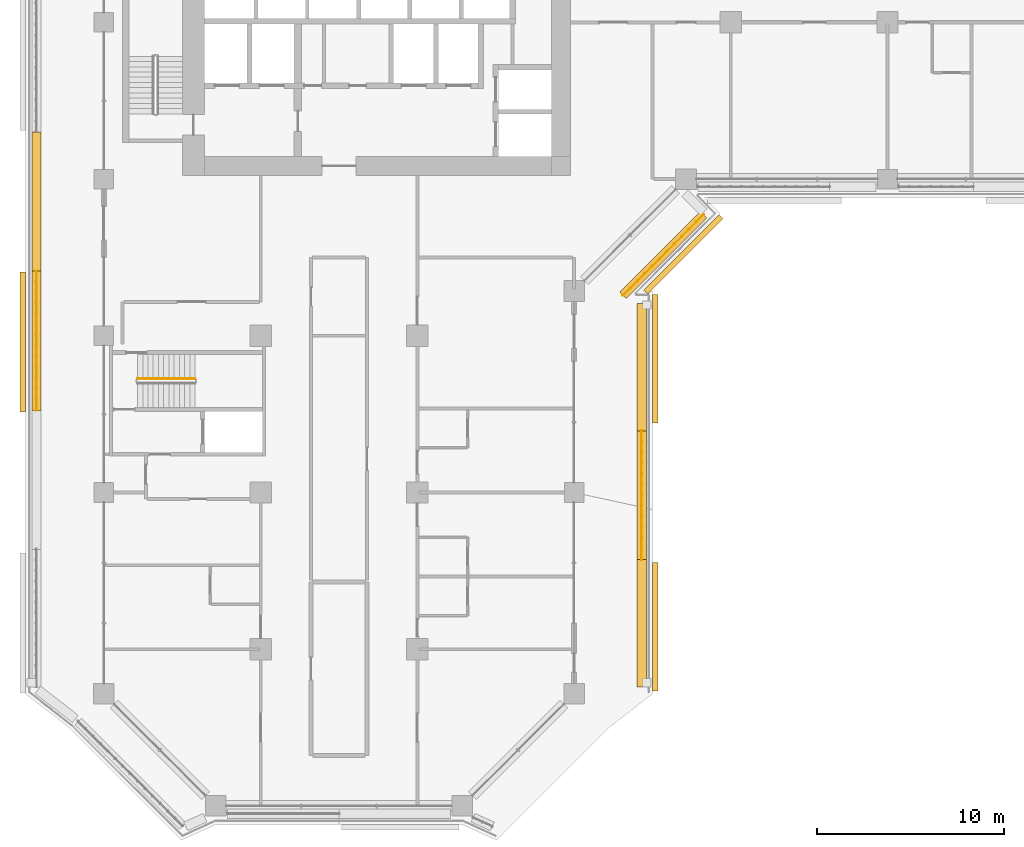
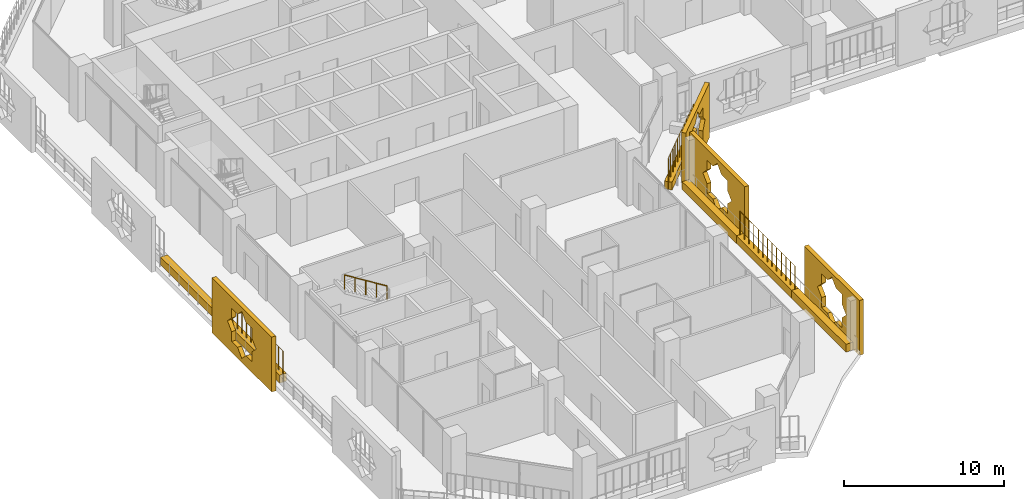
# One storey, part 20 of 25: 10 coverings, 4 railings.
"""IFC4 building model written with IfcOpenShell, lengths in metres."""

from ifc_helpers import new_model, si_unit, direction, frame, origin, origin_2d, place, context, subcontext, project, spatial, polyline, rectangle, circle, outline, extrude, material, material_profile, profile_set, type_object, element, save


model = new_model("IFC4")

# Units and contexts
model_context = context("Model", 3, precision=1e-05, world=origin(), true_north=direction((0.0, 1.0)))
body_context = subcontext(model_context, "Body", "Model", "MODEL_VIEW")
ifc_project = project(units=[si_unit("LENGTHUNIT", "METRE"), si_unit("AREAUNIT", "SQUARE_METRE"), si_unit("VOLUMEUNIT", "CUBIC_METRE"), si_unit("PLANEANGLEUNIT", "RADIAN"), si_unit("MASSUNIT", "GRAM", prefix="KILO")], contexts=[model_context])

# Site, building, storey
site_placement = place(None, origin())
site = spatial("IfcSite", under=ifc_project, at=site_placement, CompositionType="ELEMENT")
building_placement = place(site_placement, origin())
building = spatial("IfcBuilding", under=site, at=building_placement, Name="Kawkab Arch Medical Tower", CompositionType="ELEMENT")
storey_placement = place(building_placement, frame((0.0, 0.0, 128.199951171875)))
storey = spatial("IfcBuildingStorey", under=building, at=storey_placement, Name="L29", CompositionType="ELEMENT", Elevation=128.199951171875)

# Coverings
ifc_material_1 = material(Name="Bronze anodised aluminium mashrabiya panel, eight-point star pattern", Category="aluminium")
ifc_material_profile_1 = material_profile(ifc_material_1, outline(polyline([(-2.85009765625, -2.10009765625), (2.85009765625, -2.10009765625), (2.85009765625, 2.10009765625), (-2.85009765625, 2.10009765625), (-2.85009765625, -2.10009765625)]), holes=[polyline([(1.800048828125, 0.0), (1.272705078125, 0.527099609375), (1.272705078125, 1.272705078125), (0.527099609375, 1.272705078125), (0.0, 1.800048828125), (-0.527099609375, 1.272705078125), (-1.272705078125, 1.272705078125), (-1.272705078125, 0.527099609375), (-1.800048828125, 0.0), (-1.272705078125, -0.527099609375), (-1.272705078125, -1.272705078125), (-0.527099609375, -1.272705078125), (0.0, -1.800048828125), (0.527099609375, -1.272705078125), (1.272705078125, -1.272705078125), (1.272705078125, -0.527099609375), (1.800048828125, 0.0)])]), Name="Mashrabiya panel 5700x4200")
ifc_profile_set_1 = profile_set([ifc_material_profile_1], Name="Bronze anodised aluminium mashrabiya panel, eight-point star pattern")
covering_type_1 = type_object("IfcCoveringType", Name="Mashrabiya panel 5700 x 4200", PredefinedType="USERDEFINED", material=ifc_profile_set_1)
covering_1_placement = place(storey_placement, frame((30.94775390625, -29.128662109375, 1.699951171875), z_axis=(0.707106781187, -0.707106781187, 0.0), x_axis=(0.707106781187, 0.707106781187, 0.0)))
element("IfcCovering", 1, at=covering_1_placement, inside=storey, type_object=covering_type_1, Name="Mashrabiya panel L29.LOG-01-01.14", ObjectType="SCREEN", PredefinedType="USERDEFINED", context=body_context, shape_type="SweptSolid", body=[
    extrude(outline(polyline([(-2.85009765625, -2.10009765625), (2.85009765625, -2.10009765625), (2.85009765625, 2.10009765625), (-2.85009765625, 2.10009765625), (-2.85009765625, -2.10009765625)]), holes=[polyline([(1.800048828125, 0.0), (1.272705078125, 0.527099609375), (1.272705078125, 1.272705078125), (0.527099609375, 1.272705078125), (0.0, 1.800048828125), (-0.527099609375, 1.272705078125), (-1.272705078125, 1.272705078125), (-1.272705078125, 0.527099609375), (-1.800048828125, 0.0), (-1.272705078125, -0.527099609375), (-1.272705078125, -1.272705078125), (-0.527099609375, -1.272705078125), (0.0, -1.800048828125), (0.527099609375, -1.272705078125), (1.272705078125, -1.272705078125), (1.272705078125, -0.527099609375), (1.800048828125, 0.0)])]), origin(), (0.0, 0.0, 1.0), 0.300048828125),
])
ifc_material_2 = material(Name="Bronze anodised aluminium mashrabiya panel, eight-point star pattern", Category="aluminium")
ifc_material_profile_2 = material_profile(ifc_material_2, outline(polyline([(-3.449951171875, -2.10009765625), (3.449951171875, -2.10009765625), (3.449951171875, 2.10009765625), (-3.449951171875, 2.10009765625), (-3.449951171875, -2.10009765625)]), holes=[polyline([(1.800048828125, 0.0), (1.272705078125, 0.527099609375), (1.272705078125, 1.272705078125), (0.527099609375, 1.272705078125), (0.0, 1.800048828125), (-0.527099609375, 1.272705078125), (-1.272705078125, 1.272705078125), (-1.272705078125, 0.527099609375), (-1.800048828125, 0.0), (-1.272705078125, -0.527099609375), (-1.272705078125, -1.272705078125), (-0.527099609375, -1.272705078125), (0.0, -1.800048828125), (0.527099609375, -1.272705078125), (1.272705078125, -1.272705078125), (1.272705078125, -0.527099609375), (1.800048828125, 0.0)])]), Name="Mashrabiya panel 6900x4200")
ifc_profile_set_2 = profile_set([ifc_material_profile_2], Name="Bronze anodised aluminium mashrabiya panel, eight-point star pattern")
covering_type_2 = type_object("IfcCoveringType", Name="Mashrabiya panel 6900 x 4200", PredefinedType="USERDEFINED", material=ifc_profile_set_2)
for number, where, z_axis, x_axis, name in (
    (2, (29.39990234375, -34.827392578125, 1.699951171875), (1.0, 0.0, 0.0), (0.0, 1.0, 0.0), "Mashrabiya panel L29.LOG-01-01.15"),
    (3, (29.39990234375, -49.197509765625, 1.699951171875), (1.0, 0.0, 0.0), (0.0, 1.0, 0.0), "Mashrabiya panel L29.LOG-01-01.16"),
):
    element("IfcCovering", number, at=place(storey_placement, frame(where, z_axis=z_axis, x_axis=x_axis)), inside=storey, type_object=covering_type_2, Name=name, ObjectType="SCREEN", PredefinedType="USERDEFINED", context=body_context, shape_type="SweptSolid", body=[
        extrude(outline(polyline([(-3.449951171875, -2.10009765625), (3.449951171875, -2.10009765625), (3.449951171875, 2.10009765625), (-3.449951171875, 2.10009765625), (-3.449951171875, -2.10009765625)]), holes=[polyline([(1.800048828125, 0.0), (1.272705078125, 0.527099609375), (1.272705078125, 1.272705078125), (0.527099609375, 1.272705078125), (0.0, 1.800048828125), (-0.527099609375, 1.272705078125), (-1.272705078125, 1.272705078125), (-1.272705078125, 0.527099609375), (-1.800048828125, 0.0), (-1.272705078125, -0.527099609375), (-1.272705078125, -1.272705078125), (-0.527099609375, -1.272705078125), (0.0, -1.800048828125), (0.527099609375, -1.272705078125), (1.272705078125, -1.272705078125), (1.272705078125, -0.527099609375), (1.800048828125, 0.0)])]), origin(), (0.0, 0.0, 1.0), 0.300048828125),
    ])
ifc_material_3 = material(Name="Bronze anodised aluminium mashrabiya panel, eight-point star pattern", Category="aluminium")
ifc_material_profile_3 = material_profile(ifc_material_3, outline(polyline([(-3.75, -2.10009765625), (3.75, -2.10009765625), (3.75, 2.10009765625), (-3.75, 2.10009765625), (-3.75, -2.10009765625)]), holes=[polyline([(1.800048828125, 0.0), (1.272705078125, 0.527099609375), (1.272705078125, 1.272705078125), (0.527099609375, 1.272705078125), (0.0, 1.800048828125), (-0.527099609375, 1.272705078125), (-1.272705078125, 1.272705078125), (-1.272705078125, 0.527099609375), (-1.800048828125, 0.0), (-1.272705078125, -0.527099609375), (-1.272705078125, -1.272705078125), (-0.527099609375, -1.272705078125), (0.0, -1.800048828125), (0.527099609375, -1.272705078125), (1.272705078125, -1.272705078125), (1.272705078125, -0.527099609375), (1.800048828125, 0.0)])]), Name="Mashrabiya panel 7500x4200")
ifc_profile_set_3 = profile_set([ifc_material_profile_3], Name="Bronze anodised aluminium mashrabiya panel, eight-point star pattern")
covering_type_3 = type_object("IfcCoveringType", Name="Mashrabiya panel 7500 x 4200", PredefinedType="USERDEFINED", material=ifc_profile_set_3)
covering_2_placement = place(storey_placement, frame((-4.199951171875, -33.94140625, 1.699951171875), z_axis=(-1.0, 0.0, 0.0), x_axis=(0.0, -1.0, 0.0)))
element("IfcCovering", 4, at=covering_2_placement, inside=storey, type_object=covering_type_3, Name="Mashrabiya panel L29.LOG-01-01.3", ObjectType="SCREEN", PredefinedType="USERDEFINED", context=body_context, shape_type="SweptSolid", body=[
    extrude(outline(polyline([(-3.75, -2.10009765625), (3.75, -2.10009765625), (3.75, 2.10009765625), (-3.75, 2.10009765625), (-3.75, -2.10009765625)]), holes=[polyline([(1.800048828125, 0.0), (1.272705078125, 0.527099609375), (1.272705078125, 1.272705078125), (0.527099609375, 1.272705078125), (0.0, 1.800048828125), (-0.527099609375, 1.272705078125), (-1.272705078125, 1.272705078125), (-1.272705078125, 0.527099609375), (-1.800048828125, 0.0), (-1.272705078125, -0.527099609375), (-1.272705078125, -1.272705078125), (-0.527099609375, -1.272705078125), (0.0, -1.800048828125), (0.527099609375, -1.272705078125), (1.272705078125, -1.272705078125), (1.272705078125, -0.527099609375), (1.800048828125, 0.0)])]), origin(), (0.0, 0.0, 1.0), 0.300048828125),
])
ifc_material_4 = material(Name="Planting soil in a precast trough", Category="concrete")
ifc_material_profile_4 = material_profile(ifc_material_4, rectangle(XDim=0.5, YDim=0.60009765625, at=origin_2d()), Name="Trough 500x600")
ifc_profile_set_4 = profile_set([ifc_material_profile_4], Name="Planting soil in a precast trough")
covering_type_4 = type_object("IfcCoveringType", Name="Planter trough 500 x 600", PredefinedType="USERDEFINED", material=ifc_profile_set_4)
covering_3_placement = place(storey_placement, frame((-3.6201171875, -37.593017578125, 0.300048828125), z_axis=(0.0, 1.0, 0.0), x_axis=(-1.0, 0.0, 0.0)))
element("IfcCovering", 5, at=covering_3_placement, inside=storey, type_object=covering_type_4, Name="Planter L29.LOG-01-01.9", ObjectType="PLANTER", PredefinedType="USERDEFINED", context=body_context, shape_type="SweptSolid", body=[
    extrude(rectangle(XDim=0.5, YDim=0.60009765625, at=origin_2d()), origin(), (0.0, 0.0, 1.0), 7.4619140625),
])
covering_4_placement = place(storey_placement, frame((-3.6201171875, -30.131103515625, 0.300048828125), z_axis=(0.0, 1.0, 0.0), x_axis=(-1.0, 0.0, 0.0)))
element("IfcCovering", 6, at=covering_4_placement, inside=storey, type_object=covering_type_4, Name="Planter L29.LOG-01-01.10", ObjectType="PLANTER", PredefinedType="USERDEFINED", context=body_context, shape_type="SweptSolid", body=[
    extrude(rectangle(XDim=0.5, YDim=0.60009765625, at=origin_2d()), origin(), (0.0, 0.0, 1.0), 7.462158203125),
])
covering_5_placement = place(storey_placement, frame((32.14697265625, -27.10888671875, 0.300048828125), z_axis=(-0.707007043994, -0.707206504313, 0.0), x_axis=(0.707206504313, -0.707007043994, 0.0)))
element("IfcCovering", 7, at=covering_5_placement, inside=storey, type_object=covering_type_4, Name="Planter L29.LOG-01-01.43", ObjectType="PLANTER", PredefinedType="USERDEFINED", context=body_context, shape_type="SweptSolid", body=[
    extrude(rectangle(XDim=0.5, YDim=0.60009765625, at=origin_2d()), origin(), (0.0, 0.0, 1.0), 6.1201171875),
])
covering_6_placement = place(storey_placement, frame((28.820068359375, -31.8798828125, 0.300048828125), z_axis=(0.0, -1.0, 0.0), x_axis=(1.0, 0.0, 0.0)))
element("IfcCovering", 8, at=covering_6_placement, inside=storey, type_object=covering_type_4, Name="Planter L29.LOG-01-01.44", ObjectType="PLANTER", PredefinedType="USERDEFINED", context=body_context, shape_type="SweptSolid", body=[
    extrude(rectangle(XDim=0.5, YDim=0.60009765625, at=origin_2d()), origin(), (0.0, 0.0, 1.0), 6.81201171875),
])
covering_7_placement = place(storey_placement, frame((28.820068359375, -38.69189453125, 0.300048828125), z_axis=(0.0, -1.0, 0.0), x_axis=(1.0, 0.0, 0.0)))
element("IfcCovering", 9, at=covering_7_placement, inside=storey, type_object=covering_type_4, Name="Planter L29.LOG-01-01.45", ObjectType="PLANTER", PredefinedType="USERDEFINED", context=body_context, shape_type="SweptSolid", body=[
    extrude(rectangle(XDim=0.5, YDim=0.60009765625, at=origin_2d()), origin(), (0.0, 0.0, 1.0), 6.912109375),
])
covering_8_placement = place(storey_placement, frame((28.820068359375, -45.60400390625, 0.300048828125), z_axis=(0.0, -1.0, 0.0), x_axis=(1.0, 0.0, 0.0)))
element("IfcCovering", 10, at=covering_8_placement, inside=storey, type_object=covering_type_4, Name="Planter L29.LOG-01-01.46", ObjectType="PLANTER", PredefinedType="USERDEFINED", context=body_context, shape_type="SweptSolid", body=[
    extrude(rectangle(XDim=0.5, YDim=0.60009765625, at=origin_2d()), origin(), (0.0, 0.0, 1.0), 6.81201171875),
])

# Railings
ifc_material_5 = material(Name="Bronze anodised aluminium trellis for climbing plants", Category="aluminium")
railing_type_1 = type_object("IfcRailingType", Name="Planting trellis 2400", PredefinedType="USERDEFINED", material=ifc_material_5)
railing_1_placement = place(storey_placement, frame((-3.6201171875, -37.593017578125, 0.0)))
element("IfcRailing", 11, at=railing_1_placement, inside=storey, type_object=railing_type_1, Name="Planting trellis L29.LOG-01-01.9", ObjectType="TRELLIS", PredefinedType="USERDEFINED", context=body_context, shape_type="SweptSolid", body=[
    extrude(circle(Radius=0.01513671875, at=origin_2d()), frame((0.0, 0.0, 2.384765625), z_axis=(0.0, 1.0, 0.0), x_axis=(-1.0, 0.0, 0.0)), (0.0, 0.0, 1.0), 7.4619140625),
    extrude(circle(Radius=0.030029296875, at=origin_2d()), origin(), (0.0, 0.0, 1.0), 2.369873046875),
    extrude(circle(Radius=0.030029296875, at=origin_2d()), frame((0.0, 0.573974609375, 0.0)), (0.0, 0.0, 1.0), 2.369873046875),
    extrude(circle(Radius=0.030029296875, at=origin_2d()), frame((0.0, 1.14794921875, 0.0)), (0.0, 0.0, 1.0), 2.369873046875),
    extrude(circle(Radius=0.030029296875, at=origin_2d()), frame((0.0, 1.721923828125, 0.0)), (0.0, 0.0, 1.0), 2.369873046875),
    extrude(circle(Radius=0.030029296875, at=origin_2d()), frame((0.0, 2.2958984375, 0.0)), (0.0, 0.0, 1.0), 2.369873046875),
    extrude(circle(Radius=0.030029296875, at=origin_2d()), frame((0.0, 2.869873046875, 0.0)), (0.0, 0.0, 1.0), 2.369873046875),
    extrude(circle(Radius=0.030029296875, at=origin_2d()), frame((0.0, 3.44384765625, 0.0)), (0.0, 0.0, 1.0), 2.369873046875),
    extrude(circle(Radius=0.030029296875, at=origin_2d()), frame((0.0, 4.01806640625, 0.0)), (0.0, 0.0, 1.0), 2.369873046875),
    extrude(circle(Radius=0.030029296875, at=origin_2d()), frame((0.0, 4.592041015625, 0.0)), (0.0, 0.0, 1.0), 2.369873046875),
    extrude(circle(Radius=0.030029296875, at=origin_2d()), frame((0.0, 5.166015625, 0.0)), (0.0, 0.0, 1.0), 2.369873046875),
    extrude(circle(Radius=0.030029296875, at=origin_2d()), frame((0.0, 5.739990234375, 0.0)), (0.0, 0.0, 1.0), 2.369873046875),
    extrude(circle(Radius=0.030029296875, at=origin_2d()), frame((0.0, 6.31396484375, 0.0)), (0.0, 0.0, 1.0), 2.369873046875),
    extrude(circle(Radius=0.030029296875, at=origin_2d()), frame((0.0, 6.887939453125, 0.0)), (0.0, 0.0, 1.0), 2.369873046875),
    extrude(circle(Radius=0.030029296875, at=origin_2d()), frame((0.0, 7.4619140625, 0.0)), (0.0, 0.0, 1.0), 2.369873046875),
])
railing_2_placement = place(storey_placement, frame((32.14697265625, -27.10888671875, 0.0)))
element("IfcRailing", 12, at=railing_2_placement, inside=storey, type_object=railing_type_1, Name="Planting trellis L29.LOG-01-01.43", ObjectType="TRELLIS", PredefinedType="USERDEFINED", context=body_context, shape_type="SweptSolid", body=[
    extrude(circle(Radius=0.01513671875, at=origin_2d()), frame((0.0, 0.0, 2.384765625), z_axis=(-0.707007043994, -0.707206504313, 0.0), x_axis=(0.707206504313, -0.707007043994, 0.0)), (0.0, 0.0, 1.0), 6.1201171875),
    extrude(circle(Radius=0.030029296875, at=origin_2d()), origin(), (0.0, 0.0, 1.0), 2.369873046875),
    extrude(circle(Radius=0.030029296875, at=origin_2d()), frame((-0.393310546875, -0.3935546875, 0.0)), (0.0, 0.0, 1.0), 2.369873046875),
    extrude(circle(Radius=0.030029296875, at=origin_2d()), frame((-0.78662109375, -0.786865234375, 0.0)), (0.0, 0.0, 1.0), 2.369873046875),
    extrude(circle(Radius=0.030029296875, at=origin_2d()), frame((-1.18017578125, -1.180419921875, 0.0)), (0.0, 0.0, 1.0), 2.369873046875),
    extrude(circle(Radius=0.030029296875, at=origin_2d()), frame((-1.573486328125, -1.573974609375, 0.0)), (0.0, 0.0, 1.0), 2.369873046875),
    extrude(circle(Radius=0.030029296875, at=origin_2d()), frame((-1.966796875, -1.96728515625, 0.0)), (0.0, 0.0, 1.0), 2.369873046875),
    extrude(circle(Radius=0.030029296875, at=origin_2d()), frame((-2.360107421875, -2.36083984375, 0.0)), (0.0, 0.0, 1.0), 2.369873046875),
    extrude(circle(Radius=0.030029296875, at=origin_2d()), frame((-2.75341796875, -2.754150390625, 0.0)), (0.0, 0.0, 1.0), 2.369873046875),
    extrude(circle(Radius=0.030029296875, at=origin_2d()), frame((-3.146728515625, -3.147705078125, 0.0)), (0.0, 0.0, 1.0), 2.369873046875),
    extrude(circle(Radius=0.030029296875, at=origin_2d()), frame((-3.540283203125, -3.541259765625, 0.0)), (0.0, 0.0, 1.0), 2.369873046875),
    extrude(circle(Radius=0.030029296875, at=origin_2d()), frame((-3.93359375, -3.9345703125, 0.0)), (0.0, 0.0, 1.0), 2.369873046875),
    extrude(circle(Radius=0.030029296875, at=origin_2d()), frame((-4.326904296875, -4.328125, 0.0)), (0.0, 0.0, 1.0), 2.369873046875),
])
railing_3_placement = place(storey_placement, frame((28.820068359375, -38.69189453125, 0.0)))
element("IfcRailing", 13, at=railing_3_placement, inside=storey, type_object=railing_type_1, Name="Planting trellis L29.LOG-01-01.45", ObjectType="TRELLIS", PredefinedType="USERDEFINED", context=body_context, shape_type="SweptSolid", body=[
    extrude(circle(Radius=0.01513671875, at=origin_2d()), frame((0.0, 0.0, 2.384765625), z_axis=(0.0, -1.0, 0.0), x_axis=(1.0, 0.0, 0.0)), (0.0, 0.0, 1.0), 6.912109375),
    extrude(circle(Radius=0.030029296875, at=origin_2d()), origin(), (0.0, 0.0, 1.0), 2.369873046875),
    extrude(circle(Radius=0.030029296875, at=origin_2d()), frame((0.0, -0.575927734375, 0.0)), (0.0, 0.0, 1.0), 2.369873046875),
    extrude(circle(Radius=0.030029296875, at=origin_2d()), frame((0.0, -1.152099609375, 0.0)), (0.0, 0.0, 1.0), 2.369873046875),
    extrude(circle(Radius=0.030029296875, at=origin_2d()), frame((0.0, -1.72802734375, 0.0)), (0.0, 0.0, 1.0), 2.369873046875),
    extrude(circle(Radius=0.030029296875, at=origin_2d()), frame((0.0, -2.303955078125, 0.0)), (0.0, 0.0, 1.0), 2.369873046875),
    extrude(circle(Radius=0.030029296875, at=origin_2d()), frame((0.0, -2.880126953125, 0.0)), (0.0, 0.0, 1.0), 2.369873046875),
    extrude(circle(Radius=0.030029296875, at=origin_2d()), frame((0.0, -3.4560546875, 0.0)), (0.0, 0.0, 1.0), 2.369873046875),
    extrude(circle(Radius=0.030029296875, at=origin_2d()), frame((0.0, -4.031982421875, 0.0)), (0.0, 0.0, 1.0), 2.369873046875),
    extrude(circle(Radius=0.030029296875, at=origin_2d()), frame((0.0, -4.608154296875, 0.0)), (0.0, 0.0, 1.0), 2.369873046875),
    extrude(circle(Radius=0.030029296875, at=origin_2d()), frame((0.0, -5.18408203125, 0.0)), (0.0, 0.0, 1.0), 2.369873046875),
    extrude(circle(Radius=0.030029296875, at=origin_2d()), frame((0.0, -5.760009765625, 0.0)), (0.0, 0.0, 1.0), 2.369873046875),
    extrude(circle(Radius=0.030029296875, at=origin_2d()), frame((0.0, -6.336181640625, 0.0)), (0.0, 0.0, 1.0), 2.369873046875),
    extrude(circle(Radius=0.030029296875, at=origin_2d()), frame((0.0, -6.912109375, 0.0)), (0.0, 0.0, 1.0), 2.369873046875),
])
ifc_material_6 = material(Name="Stainless steel", Category="steel")
railing_type_2 = type_object("IfcRailingType", Name="Stair guard 1100", PredefinedType="GUARDRAIL", material=ifc_material_6)
railing_4_placement = place(storey_placement, frame((4.8798828125, -35.89990234375, 2.275146484375)))
element("IfcRailing", 14, at=railing_4_placement, inside=storey, type_object=railing_type_2, Name="L29 ST6 stair guard 3", PredefinedType="GUARDRAIL", context=body_context, shape_type="SweptSolid", body=[
    extrude(circle(Radius=0.02392578125, at=origin_2d()), frame((0.0, 0.0, 1.076171875), z_axis=(-0.848009633417, 0.0, 0.529980812513), x_axis=(0.0, -1.0, 0.0)), (0.0, 0.0, 1.0), 3.6318359375),
    extrude(circle(Radius=0.02099609375, at=origin_2d()), origin(), (0.0, 0.0, 1.0), 1.052001953125),
    extrude(circle(Radius=0.02099609375, at=origin_2d()), frame((-0.77001953125, 0.0, 0.481201171875)), (0.0, 0.0, 1.0), 1.052001953125),
    extrude(circle(Radius=0.02099609375, at=origin_2d()), frame((-1.5400390625, 0.0, 0.96240234375)), (0.0, 0.0, 1.0), 1.052001953125),
    extrude(circle(Radius=0.02099609375, at=origin_2d()), frame((-2.309814453125, 0.0, 1.443603515625)), (0.0, 0.0, 1.0), 1.052001953125),
    extrude(circle(Radius=0.02099609375, at=origin_2d()), frame((-3.079833984375, 0.0, 1.9248046875)), (0.0, 0.0, 1.0), 1.052001953125),
])

save(model, "model.ifc")
